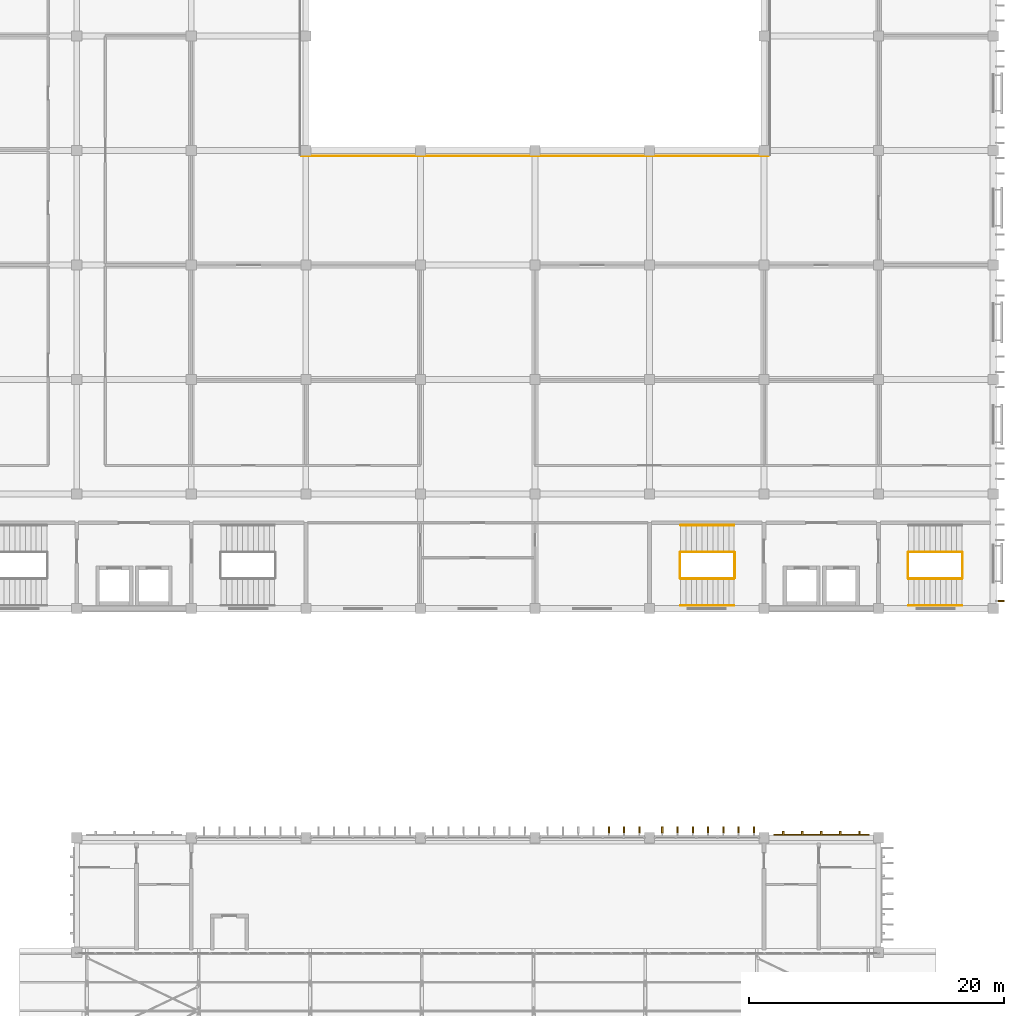
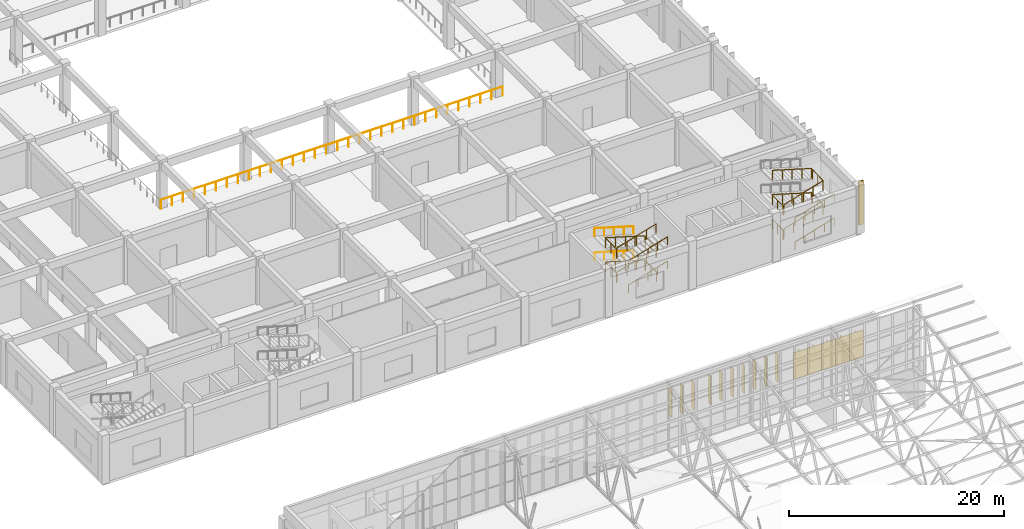
# One storey, part 182 of 185: 23 railings, 16 coverings.
"""IFC4 building model written with IfcOpenShell, lengths in metres."""

from ifc_helpers import new_model, si_unit, direction, frame, origin, origin_2d, place, context, subcontext, project, spatial, polyline, rectangle, circle, outline, extrude, material, layer, layer_set, constituent, constituent_set, type_object, element, save


model = new_model("IFC4")

# Units and contexts
model_context = context("Model", 3, precision=1e-05, world=origin(), true_north=direction((0.0, 1.0)))
body_context = subcontext(model_context, "Body", "Model", "MODEL_VIEW")
ifc_project = project(units=[si_unit("LENGTHUNIT", "METRE"), si_unit("AREAUNIT", "SQUARE_METRE"), si_unit("VOLUMEUNIT", "CUBIC_METRE"), si_unit("PLANEANGLEUNIT", "RADIAN"), si_unit("MASSUNIT", "GRAM", prefix="KILO")], contexts=[model_context])

# Site, building, storey
site_placement = place(None, origin())
site = spatial("IfcSite", under=ifc_project, at=site_placement, CompositionType="ELEMENT")
building_placement = place(site_placement, origin())
building = spatial("IfcBuilding", under=site, at=building_placement, Name="Opaline Strait Convention Centre", CompositionType="ELEMENT")
storey_placement = place(building_placement, frame((0.0, 0.0, 6.0)))
storey = spatial("IfcBuildingStorey", under=building, at=storey_placement, Name="L01", CompositionType="ELEMENT", Elevation=6.0)

# Railings
ifc_material_1 = material(Name="Steel Q235B", Category="steel")
ifc_constituent_1 = constituent(ifc_material_1, Name="Frame")
ifc_material_2 = material(Name="Safety glass, bonded interlayer", Category="glass")
ifc_constituent_2 = constituent(ifc_material_2, Name="Infill")
ifc_constituent_set = constituent_set(constituents=[ifc_constituent_1, ifc_constituent_2], Name="Steel Q235B, Safety glass, bonded interlayer")
railing_type_1 = type_object("IfcRailingType", Name="Guard 1100 steel and glass", PredefinedType="GUARDRAIL", material=ifc_constituent_set)
railing_1_placement = place(storey_placement, frame((353.349853515625, 92.349853515625, 0.125)))
element("IfcRailing", 1, at=railing_1_placement, inside=storey, type_object=railing_type_1, Name="L01 S3 stair guard 1", PredefinedType="GUARDRAIL", context=body_context, shape_type="SweptSolid", body=[
    extrude(circle(Radius=0.02392578125, at=origin_2d()), frame((0.0, 0.0, 1.076171875), z_axis=(0.958451171748, 0.0, 0.285256641246), x_axis=(0.0, 1.0, 0.0)), (0.0, 0.0, 1.0), 4.382080078125),
    extrude(circle(Radius=0.02099609375, at=origin_2d()), origin(), (0.0, 0.0, 1.0), 1.052001953125),
    extrude(circle(Radius=0.02099609375, at=origin_2d()), frame((1.050048828125, 0.0, 0.3125)), (0.0, 0.0, 1.0), 1.052001953125),
    extrude(circle(Radius=0.02099609375, at=origin_2d()), frame((2.10009765625, 0.0, 0.625)), (0.0, 0.0, 1.0), 1.052001953125),
    extrude(circle(Radius=0.02099609375, at=origin_2d()), frame((3.14990234375, 0.0, 0.9375)), (0.0, 0.0, 1.0), 1.052001953125),
    extrude(circle(Radius=0.02099609375, at=origin_2d()), frame((4.199951171875, 0.0, 1.25)), (0.0, 0.0, 1.0), 1.052001953125),
])
railing_2_placement = place(storey_placement, frame((357.599853515625, 92.39990234375, 1.375)))
element("IfcRailing", 2, at=railing_2_placement, inside=storey, type_object=railing_type_1, Name="L01 S3 stair guard 2", PredefinedType="GUARDRAIL", context=body_context, shape_type="SweptSolid", body=[
    extrude(circle(Radius=0.02392578125, at=origin_2d()), frame((0.0, 0.0, 1.076171875), z_axis=(0.0, 1.0, 0.0), x_axis=(-1.0, 0.0, 0.0)), (0.0, 0.0, 1.0), 2.0),
    extrude(circle(Radius=0.02099609375, at=origin_2d()), origin(), (0.0, 0.0, 1.0), 1.052001953125),
    extrude(circle(Radius=0.02099609375, at=origin_2d()), frame((0.0, 1.0, 0.0)), (0.0, 0.0, 1.0), 1.052001953125),
    extrude(circle(Radius=0.02099609375, at=origin_2d()), frame((0.0, 2.0, 0.0)), (0.0, 0.0, 1.0), 1.052001953125),
])
railing_3_placement = place(storey_placement, frame((357.5498046875, 94.449951171875, 1.5)))
element("IfcRailing", 3, at=railing_3_placement, inside=storey, type_object=railing_type_1, Name="L01 S3 stair guard 3", PredefinedType="GUARDRAIL", context=body_context, shape_type="SweptSolid", body=[
    extrude(circle(Radius=0.02392578125, at=origin_2d()), frame((0.0, 0.0, 1.076171875), z_axis=(-0.958451171748, 0.0, 0.285256641246), x_axis=(0.0, -1.0, 0.0)), (0.0, 0.0, 1.0), 4.382080078125),
    extrude(circle(Radius=0.02099609375, at=origin_2d()), origin(), (0.0, 0.0, 1.0), 1.052001953125),
    extrude(circle(Radius=0.02099609375, at=origin_2d()), frame((-1.050048828125, 0.0, 0.3125)), (0.0, 0.0, 1.0), 1.052001953125),
    extrude(circle(Radius=0.02099609375, at=origin_2d()), frame((-2.10009765625, 0.0, 0.625)), (0.0, 0.0, 1.0), 1.052001953125),
    extrude(circle(Radius=0.02099609375, at=origin_2d()), frame((-3.14990234375, 0.0, 0.9375)), (0.0, 0.0, 1.0), 1.052001953125),
    extrude(circle(Radius=0.02099609375, at=origin_2d()), frame((-4.199951171875, 0.0, 1.25)), (0.0, 0.0, 1.0), 1.052001953125),
])
railing_4_placement = place(storey_placement, frame((353.2998046875, 92.39990234375, 2.75)))
element("IfcRailing", 4, at=railing_4_placement, inside=storey, type_object=railing_type_1, Name="L01 S3 stair guard 4", PredefinedType="GUARDRAIL", context=body_context, shape_type="SweptSolid", body=[
    extrude(circle(Radius=0.02392578125, at=origin_2d()), frame((0.0, 0.0, 1.076171875), z_axis=(0.0, 1.0, 0.0), x_axis=(-1.0, 0.0, 0.0)), (0.0, 0.0, 1.0), 2.0),
    extrude(circle(Radius=0.02099609375, at=origin_2d()), origin(), (0.0, 0.0, 1.0), 1.052001953125),
    extrude(circle(Radius=0.02099609375, at=origin_2d()), frame((0.0, 1.0, 0.0)), (0.0, 0.0, 1.0), 1.052001953125),
    extrude(circle(Radius=0.02099609375, at=origin_2d()), frame((0.0, 2.0, 0.0)), (0.0, 0.0, 1.0), 1.052001953125),
])
railing_5_placement = place(storey_placement, frame((353.349853515625, 92.349853515625, 2.875)))
element("IfcRailing", 5, at=railing_5_placement, inside=storey, type_object=railing_type_1, Name="L01 S3 stair guard 5", PredefinedType="GUARDRAIL", context=body_context, shape_type="SweptSolid", body=[
    extrude(circle(Radius=0.02392578125, at=origin_2d()), frame((0.0, 0.0, 1.076171875), z_axis=(0.958451171748, 0.0, 0.285256641246), x_axis=(0.0, 1.0, 0.0)), (0.0, 0.0, 1.0), 4.382080078125),
    extrude(circle(Radius=0.02099609375, at=origin_2d()), origin(), (0.0, 0.0, 1.0), 1.052001953125),
    extrude(circle(Radius=0.02099609375, at=origin_2d()), frame((1.050048828125, 0.0, 0.3125)), (0.0, 0.0, 1.0), 1.052001953125),
    extrude(circle(Radius=0.02099609375, at=origin_2d()), frame((2.10009765625, 0.0, 0.625)), (0.0, 0.0, 1.0), 1.052001953125),
    extrude(circle(Radius=0.02099609375, at=origin_2d()), frame((3.14990234375, 0.0, 0.9375)), (0.0, 0.0, 1.0), 1.052001953125),
    extrude(circle(Radius=0.02099609375, at=origin_2d()), frame((4.199951171875, 0.0, 1.25)), (0.0, 0.0, 1.0), 1.052001953125),
])
railing_6_placement = place(storey_placement, frame((357.599853515625, 92.39990234375, 4.125)))
element("IfcRailing", 6, at=railing_6_placement, inside=storey, type_object=railing_type_1, Name="L01 S3 stair guard 6", PredefinedType="GUARDRAIL", context=body_context, shape_type="SweptSolid", body=[
    extrude(circle(Radius=0.02392578125, at=origin_2d()), frame((0.0, 0.0, 1.076171875), z_axis=(0.0, 1.0, 0.0), x_axis=(-1.0, 0.0, 0.0)), (0.0, 0.0, 1.0), 2.0),
    extrude(circle(Radius=0.02099609375, at=origin_2d()), origin(), (0.0, 0.0, 1.0), 1.052001953125),
    extrude(circle(Radius=0.02099609375, at=origin_2d()), frame((0.0, 1.0, 0.0)), (0.0, 0.0, 1.0), 1.052001953125),
    extrude(circle(Radius=0.02099609375, at=origin_2d()), frame((0.0, 2.0, 0.0)), (0.0, 0.0, 1.0), 1.052001953125),
])
railing_7_placement = place(storey_placement, frame((357.5498046875, 94.449951171875, 4.25)))
element("IfcRailing", 7, at=railing_7_placement, inside=storey, type_object=railing_type_1, Name="L01 S3 stair guard 7", PredefinedType="GUARDRAIL", context=body_context, shape_type="SweptSolid", body=[
    extrude(circle(Radius=0.02392578125, at=origin_2d()), frame((0.0, 0.0, 1.076171875), z_axis=(-0.958451171748, 0.0, 0.285256641246), x_axis=(0.0, -1.0, 0.0)), (0.0, 0.0, 1.0), 4.382080078125),
    extrude(circle(Radius=0.02099609375, at=origin_2d()), origin(), (0.0, 0.0, 1.0), 1.052001953125),
    extrude(circle(Radius=0.02099609375, at=origin_2d()), frame((-1.050048828125, 0.0, 0.3125)), (0.0, 0.0, 1.0), 1.052001953125),
    extrude(circle(Radius=0.02099609375, at=origin_2d()), frame((-2.10009765625, 0.0, 0.625)), (0.0, 0.0, 1.0), 1.052001953125),
    extrude(circle(Radius=0.02099609375, at=origin_2d()), frame((-3.14990234375, 0.0, 0.9375)), (0.0, 0.0, 1.0), 1.052001953125),
    extrude(circle(Radius=0.02099609375, at=origin_2d()), frame((-4.199951171875, 0.0, 1.25)), (0.0, 0.0, 1.0), 1.052001953125),
])
railing_8_placement = place(storey_placement, frame((353.2998046875, 92.39990234375, 0.0)))
element("IfcRailing", 8, at=railing_8_placement, inside=storey, type_object=railing_type_1, Name="L01 S3 stair guard 8", PredefinedType="GUARDRAIL", context=body_context, shape_type="SweptSolid", body=[
    extrude(circle(Radius=0.02392578125, at=origin_2d()), frame((0.0, 0.0, 1.076171875), z_axis=(0.0, 1.0, 0.0), x_axis=(-1.0, 0.0, 0.0)), (0.0, 0.0, 1.0), 2.0),
    extrude(circle(Radius=0.02099609375, at=origin_2d()), origin(), (0.0, 0.0, 1.0), 1.052001953125),
    extrude(circle(Radius=0.02099609375, at=origin_2d()), frame((0.0, 1.0, 0.0)), (0.0, 0.0, 1.0), 1.052001953125),
    extrude(circle(Radius=0.02099609375, at=origin_2d()), frame((0.0, 2.0, 0.0)), (0.0, 0.0, 1.0), 1.052001953125),
])
railing_9_placement = place(storey_placement, frame((339.650146484375, 94.4501953125, 0.125)))
element("IfcRailing", 9, at=railing_9_placement, inside=storey, type_object=railing_type_1, Name="L01 S4 stair guard 1", PredefinedType="GUARDRAIL", context=body_context, shape_type="SweptSolid", body=[
    extrude(circle(Radius=0.02392578125, at=origin_2d()), frame((0.0, 0.0, 1.076171875), z_axis=(-0.958451171748, 0.0, 0.285256641246), x_axis=(0.0, -1.0, 0.0)), (0.0, 0.0, 1.0), 4.382080078125),
    extrude(circle(Radius=0.02099609375, at=origin_2d()), origin(), (0.0, 0.0, 1.0), 1.052001953125),
    extrude(circle(Radius=0.02099609375, at=origin_2d()), frame((-1.050048828125, 0.0, 0.3125)), (0.0, 0.0, 1.0), 1.052001953125),
    extrude(circle(Radius=0.02099609375, at=origin_2d()), frame((-2.10009765625, 0.0, 0.625)), (0.0, 0.0, 1.0), 1.052001953125),
    extrude(circle(Radius=0.02099609375, at=origin_2d()), frame((-3.14990234375, 0.0, 0.9375)), (0.0, 0.0, 1.0), 1.052001953125),
    extrude(circle(Radius=0.02099609375, at=origin_2d()), frame((-4.199951171875, 0.0, 1.25)), (0.0, 0.0, 1.0), 1.052001953125),
])
railing_10_placement = place(storey_placement, frame((335.400146484375, 94.400146484375, 1.375)))
element("IfcRailing", 10, at=railing_10_placement, inside=storey, type_object=railing_type_1, Name="L01 S4 stair guard 2", PredefinedType="GUARDRAIL", context=body_context, shape_type="SweptSolid", body=[
    extrude(circle(Radius=0.02392578125, at=origin_2d()), frame((0.0, 0.0, 1.076171875), z_axis=(0.0, -1.0, 0.0), x_axis=(1.0, 0.0, 0.0)), (0.0, 0.0, 1.0), 2.0),
    extrude(circle(Radius=0.02099609375, at=origin_2d()), origin(), (0.0, 0.0, 1.0), 1.052001953125),
    extrude(circle(Radius=0.02099609375, at=origin_2d()), frame((0.0, -1.0, 0.0)), (0.0, 0.0, 1.0), 1.052001953125),
    extrude(circle(Radius=0.02099609375, at=origin_2d()), frame((0.0, -2.0, 0.0)), (0.0, 0.0, 1.0), 1.052001953125),
])
railing_11_placement = place(storey_placement, frame((335.4501953125, 92.35009765625, 1.5)))
element("IfcRailing", 11, at=railing_11_placement, inside=storey, type_object=railing_type_1, Name="L01 S4 stair guard 3", PredefinedType="GUARDRAIL", context=body_context, shape_type="SweptSolid", body=[
    extrude(circle(Radius=0.02392578125, at=origin_2d()), frame((0.0, 0.0, 1.076171875), z_axis=(0.958451171748, 0.0, 0.285256641246), x_axis=(0.0, 1.0, 0.0)), (0.0, 0.0, 1.0), 4.382080078125),
    extrude(circle(Radius=0.02099609375, at=origin_2d()), origin(), (0.0, 0.0, 1.0), 1.052001953125),
    extrude(circle(Radius=0.02099609375, at=origin_2d()), frame((1.050048828125, 0.0, 0.3125)), (0.0, 0.0, 1.0), 1.052001953125),
    extrude(circle(Radius=0.02099609375, at=origin_2d()), frame((2.10009765625, 0.0, 0.625)), (0.0, 0.0, 1.0), 1.052001953125),
    extrude(circle(Radius=0.02099609375, at=origin_2d()), frame((3.14990234375, 0.0, 0.9375)), (0.0, 0.0, 1.0), 1.052001953125),
    extrude(circle(Radius=0.02099609375, at=origin_2d()), frame((4.199951171875, 0.0, 1.25)), (0.0, 0.0, 1.0), 1.052001953125),
])
railing_12_placement = place(storey_placement, frame((339.7001953125, 94.400146484375, 2.75)))
element("IfcRailing", 12, at=railing_12_placement, inside=storey, type_object=railing_type_1, Name="L01 S4 stair guard 4", PredefinedType="GUARDRAIL", context=body_context, shape_type="SweptSolid", body=[
    extrude(circle(Radius=0.02392578125, at=origin_2d()), frame((0.0, 0.0, 1.076171875), z_axis=(0.0, -1.0, 0.0), x_axis=(1.0, 0.0, 0.0)), (0.0, 0.0, 1.0), 2.0),
    extrude(circle(Radius=0.02099609375, at=origin_2d()), origin(), (0.0, 0.0, 1.0), 1.052001953125),
    extrude(circle(Radius=0.02099609375, at=origin_2d()), frame((0.0, -1.0, 0.0)), (0.0, 0.0, 1.0), 1.052001953125),
    extrude(circle(Radius=0.02099609375, at=origin_2d()), frame((0.0, -2.0, 0.0)), (0.0, 0.0, 1.0), 1.052001953125),
])
railing_13_placement = place(storey_placement, frame((339.650146484375, 94.4501953125, 2.875)))
element("IfcRailing", 13, at=railing_13_placement, inside=storey, type_object=railing_type_1, Name="L01 S4 stair guard 5", PredefinedType="GUARDRAIL", context=body_context, shape_type="SweptSolid", body=[
    extrude(circle(Radius=0.02392578125, at=origin_2d()), frame((0.0, 0.0, 1.076171875), z_axis=(-0.958451171748, 0.0, 0.285256641246), x_axis=(0.0, -1.0, 0.0)), (0.0, 0.0, 1.0), 4.382080078125),
    extrude(circle(Radius=0.02099609375, at=origin_2d()), origin(), (0.0, 0.0, 1.0), 1.052001953125),
    extrude(circle(Radius=0.02099609375, at=origin_2d()), frame((-1.050048828125, 0.0, 0.3125)), (0.0, 0.0, 1.0), 1.052001953125),
    extrude(circle(Radius=0.02099609375, at=origin_2d()), frame((-2.10009765625, 0.0, 0.625)), (0.0, 0.0, 1.0), 1.052001953125),
    extrude(circle(Radius=0.02099609375, at=origin_2d()), frame((-3.14990234375, 0.0, 0.9375)), (0.0, 0.0, 1.0), 1.052001953125),
    extrude(circle(Radius=0.02099609375, at=origin_2d()), frame((-4.199951171875, 0.0, 1.25)), (0.0, 0.0, 1.0), 1.052001953125),
])
railing_14_placement = place(storey_placement, frame((335.400146484375, 94.400146484375, 4.125)))
element("IfcRailing", 14, at=railing_14_placement, inside=storey, type_object=railing_type_1, Name="L01 S4 stair guard 6", PredefinedType="GUARDRAIL", context=body_context, shape_type="SweptSolid", body=[
    extrude(circle(Radius=0.02392578125, at=origin_2d()), frame((0.0, 0.0, 1.076171875), z_axis=(0.0, -1.0, 0.0), x_axis=(1.0, 0.0, 0.0)), (0.0, 0.0, 1.0), 2.0),
    extrude(circle(Radius=0.02099609375, at=origin_2d()), origin(), (0.0, 0.0, 1.0), 1.052001953125),
    extrude(circle(Radius=0.02099609375, at=origin_2d()), frame((0.0, -1.0, 0.0)), (0.0, 0.0, 1.0), 1.052001953125),
    extrude(circle(Radius=0.02099609375, at=origin_2d()), frame((0.0, -2.0, 0.0)), (0.0, 0.0, 1.0), 1.052001953125),
])
railing_15_placement = place(storey_placement, frame((335.4501953125, 92.35009765625, 4.25)))
element("IfcRailing", 15, at=railing_15_placement, inside=storey, type_object=railing_type_1, Name="L01 S4 stair guard 7", PredefinedType="GUARDRAIL", context=body_context, shape_type="SweptSolid", body=[
    extrude(circle(Radius=0.02392578125, at=origin_2d()), frame((0.0, 0.0, 1.076171875), z_axis=(0.958451171748, 0.0, 0.285256641246), x_axis=(0.0, 1.0, 0.0)), (0.0, 0.0, 1.0), 4.382080078125),
    extrude(circle(Radius=0.02099609375, at=origin_2d()), origin(), (0.0, 0.0, 1.0), 1.052001953125),
    extrude(circle(Radius=0.02099609375, at=origin_2d()), frame((1.050048828125, 0.0, 0.3125)), (0.0, 0.0, 1.0), 1.052001953125),
    extrude(circle(Radius=0.02099609375, at=origin_2d()), frame((2.10009765625, 0.0, 0.625)), (0.0, 0.0, 1.0), 1.052001953125),
    extrude(circle(Radius=0.02099609375, at=origin_2d()), frame((3.14990234375, 0.0, 0.9375)), (0.0, 0.0, 1.0), 1.052001953125),
    extrude(circle(Radius=0.02099609375, at=origin_2d()), frame((4.199951171875, 0.0, 1.25)), (0.0, 0.0, 1.0), 1.052001953125),
])
railing_16_placement = place(storey_placement, frame((339.7001953125, 94.400146484375, 0.0)))
element("IfcRailing", 16, at=railing_16_placement, inside=storey, type_object=railing_type_1, Name="L01 S4 stair guard 8", PredefinedType="GUARDRAIL", context=body_context, shape_type="SweptSolid", body=[
    extrude(circle(Radius=0.02392578125, at=origin_2d()), frame((0.0, 0.0, 1.076171875), z_axis=(0.0, -1.0, 0.0), x_axis=(1.0, 0.0, 0.0)), (0.0, 0.0, 1.0), 2.0),
    extrude(circle(Radius=0.02099609375, at=origin_2d()), origin(), (0.0, 0.0, 1.0), 1.052001953125),
    extrude(circle(Radius=0.02099609375, at=origin_2d()), frame((0.0, -1.0, 0.0)), (0.0, 0.0, 1.0), 1.052001953125),
    extrude(circle(Radius=0.02099609375, at=origin_2d()), frame((0.0, -2.0, 0.0)), (0.0, 0.0, 1.0), 1.052001953125),
])
railing_17_placement = place(storey_placement, frame((305.64990234375, 125.550048828125, 0.0)))
element("IfcRailing", 17, at=railing_17_placement, inside=storey, type_object=railing_type_1, Name="Atrium edge guard L01 S", PredefinedType="GUARDRAIL", context=body_context, shape_type="SweptSolid", body=[
    extrude(circle(Radius=0.02392578125, at=origin_2d()), frame((0.0, 0.0, 1.076171875), z_axis=(1.0, 0.0, 0.0), x_axis=(0.0, 1.0, 0.0)), (0.0, 0.0, 1.0), 36.7001953125),
    extrude(circle(Radius=0.02099609375, at=origin_2d()), origin(), (0.0, 0.0, 1.0), 1.052001953125),
    extrude(circle(Radius=0.02099609375, at=origin_2d()), frame((1.183837890625, 0.0, 0.0)), (0.0, 0.0, 1.0), 1.052001953125),
    extrude(circle(Radius=0.02099609375, at=origin_2d()), frame((2.36767578125, 0.0, 0.0)), (0.0, 0.0, 1.0), 1.052001953125),
    extrude(circle(Radius=0.02099609375, at=origin_2d()), frame((3.551513671875, 0.0, 0.0)), (0.0, 0.0, 1.0), 1.052001953125),
    extrude(circle(Radius=0.02099609375, at=origin_2d()), frame((4.735595703125, 0.0, 0.0)), (0.0, 0.0, 1.0), 1.052001953125),
    extrude(circle(Radius=0.02099609375, at=origin_2d()), frame((5.91943359375, 0.0, 0.0)), (0.0, 0.0, 1.0), 1.052001953125),
    extrude(circle(Radius=0.02099609375, at=origin_2d()), frame((7.103271484375, 0.0, 0.0)), (0.0, 0.0, 1.0), 1.052001953125),
    extrude(circle(Radius=0.02099609375, at=origin_2d()), frame((8.287109375, 0.0, 0.0)), (0.0, 0.0, 1.0), 1.052001953125),
    extrude(circle(Radius=0.02099609375, at=origin_2d()), frame((9.470947265625, 0.0, 0.0)), (0.0, 0.0, 1.0), 1.052001953125),
    extrude(circle(Radius=0.02099609375, at=origin_2d()), frame((10.65478515625, 0.0, 0.0)), (0.0, 0.0, 1.0), 1.052001953125),
    extrude(circle(Radius=0.02099609375, at=origin_2d()), frame((11.8388671875, 0.0, 0.0)), (0.0, 0.0, 1.0), 1.052001953125),
    extrude(circle(Radius=0.02099609375, at=origin_2d()), frame((13.022705078125, 0.0, 0.0)), (0.0, 0.0, 1.0), 1.052001953125),
    extrude(circle(Radius=0.02099609375, at=origin_2d()), frame((14.20654296875, 0.0, 0.0)), (0.0, 0.0, 1.0), 1.052001953125),
    extrude(circle(Radius=0.02099609375, at=origin_2d()), frame((15.390380859375, 0.0, 0.0)), (0.0, 0.0, 1.0), 1.052001953125),
    extrude(circle(Radius=0.02099609375, at=origin_2d()), frame((16.57421875, 0.0, 0.0)), (0.0, 0.0, 1.0), 1.052001953125),
    extrude(circle(Radius=0.02099609375, at=origin_2d()), frame((17.758056640625, 0.0, 0.0)), (0.0, 0.0, 1.0), 1.052001953125),
    extrude(circle(Radius=0.02099609375, at=origin_2d()), frame((18.942138671875, 0.0, 0.0)), (0.0, 0.0, 1.0), 1.052001953125),
    extrude(circle(Radius=0.02099609375, at=origin_2d()), frame((20.1259765625, 0.0, 0.0)), (0.0, 0.0, 1.0), 1.052001953125),
    extrude(circle(Radius=0.02099609375, at=origin_2d()), frame((21.309814453125, 0.0, 0.0)), (0.0, 0.0, 1.0), 1.052001953125),
    extrude(circle(Radius=0.02099609375, at=origin_2d()), frame((22.49365234375, 0.0, 0.0)), (0.0, 0.0, 1.0), 1.052001953125),
    extrude(circle(Radius=0.02099609375, at=origin_2d()), frame((23.677490234375, 0.0, 0.0)), (0.0, 0.0, 1.0), 1.052001953125),
    extrude(circle(Radius=0.02099609375, at=origin_2d()), frame((24.861328125, 0.0, 0.0)), (0.0, 0.0, 1.0), 1.052001953125),
    extrude(circle(Radius=0.02099609375, at=origin_2d()), frame((26.04541015625, 0.0, 0.0)), (0.0, 0.0, 1.0), 1.052001953125),
    extrude(circle(Radius=0.02099609375, at=origin_2d()), frame((27.229248046875, 0.0, 0.0)), (0.0, 0.0, 1.0), 1.052001953125),
    extrude(circle(Radius=0.02099609375, at=origin_2d()), frame((28.4130859375, 0.0, 0.0)), (0.0, 0.0, 1.0), 1.052001953125),
    extrude(circle(Radius=0.02099609375, at=origin_2d()), frame((29.596923828125, 0.0, 0.0)), (0.0, 0.0, 1.0), 1.052001953125),
    extrude(circle(Radius=0.02099609375, at=origin_2d()), frame((30.78076171875, 0.0, 0.0)), (0.0, 0.0, 1.0), 1.052001953125),
    extrude(circle(Radius=0.02099609375, at=origin_2d()), frame((31.964599609375, 0.0, 0.0)), (0.0, 0.0, 1.0), 1.052001953125),
    extrude(circle(Radius=0.02099609375, at=origin_2d()), frame((33.148681640625, 0.0, 0.0)), (0.0, 0.0, 1.0), 1.052001953125),
    extrude(circle(Radius=0.02099609375, at=origin_2d()), frame((34.33251953125, 0.0, 0.0)), (0.0, 0.0, 1.0), 1.052001953125),
    extrude(circle(Radius=0.02099609375, at=origin_2d()), frame((35.516357421875, 0.0, 0.0)), (0.0, 0.0, 1.0), 1.052001953125),
    extrude(circle(Radius=0.02099609375, at=origin_2d()), frame((36.7001953125, 0.0, 0.0)), (0.0, 0.0, 1.0), 1.052001953125),
])

# Coverings
ifc_material_3 = material(Name="Concrete C40 precast white", Category="concrete")
ifc_layer_1 = layer(ifc_material_3, 0.300048828125)
ifc_layer_set_1 = layer_set([ifc_layer_1], Name="Concrete C40 precast white")
covering_type_1 = type_object("IfcCoveringType", Name="Ribbed precast panel white 1500", PredefinedType="CLADDING", material=ifc_layer_set_1)
covering_1_placement = place(storey_placement, origin())
element("IfcCovering", 18, at=covering_1_placement, inside=storey, type_object=covering_type_1, Name="Ribbed panel L01-N6 1", PredefinedType="CLADDING", context=body_context, shape_type="SweptSolid", body=[
    extrude(outline(polyline([(342.75, 72.199951171875), (344.25, 72.199951171875), (344.25, 72.280029296875), (343.574951171875, 72.280029296875), (343.574951171875, 72.5), (343.425048828125, 72.5), (343.425048828125, 72.280029296875), (342.75, 72.280029296875), (342.75, 72.199951171875)])), origin(), (0.0, 0.0, 1.0), 3.050048828125),
])
covering_2_placement = place(storey_placement, origin())
element("IfcCovering", 19, at=covering_2_placement, inside=storey, type_object=covering_type_1, Name="Ribbed panel L01-N6 2", PredefinedType="CLADDING", context=body_context, shape_type="SweptSolid", body=[
    extrude(outline(polyline([(344.25, 72.199951171875), (345.75, 72.199951171875), (345.75, 72.280029296875), (345.074951171875, 72.280029296875), (345.074951171875, 72.5), (344.925048828125, 72.5), (344.925048828125, 72.280029296875), (344.25, 72.280029296875), (344.25, 72.199951171875)])), origin(), (0.0, 0.0, 1.0), 3.050048828125),
])
covering_3_placement = place(storey_placement, origin())
element("IfcCovering", 20, at=covering_3_placement, inside=storey, type_object=covering_type_1, Name="Ribbed panel L01-N6 3", PredefinedType="CLADDING", context=body_context, shape_type="SweptSolid", body=[
    extrude(outline(polyline([(345.75, 72.199951171875), (347.25, 72.199951171875), (347.25, 72.280029296875), (346.574951171875, 72.280029296875), (346.574951171875, 72.5), (346.425048828125, 72.5), (346.425048828125, 72.280029296875), (345.75, 72.280029296875), (345.75, 72.199951171875)])), origin(), (0.0, 0.0, 1.0), 3.050048828125),
])
covering_4_placement = place(storey_placement, origin())
element("IfcCovering", 21, at=covering_4_placement, inside=storey, type_object=covering_type_1, Name="Ribbed panel L01-N6 4", PredefinedType="CLADDING", context=body_context, shape_type="SweptSolid", body=[
    extrude(outline(polyline([(347.25, 72.199951171875), (348.75, 72.199951171875), (348.75, 72.280029296875), (348.074951171875, 72.280029296875), (348.074951171875, 72.5), (347.925048828125, 72.5), (347.925048828125, 72.280029296875), (347.25, 72.280029296875), (347.25, 72.199951171875)])), origin(), (0.0, 0.0, 1.0), 3.050048828125),
])
covering_5_placement = place(storey_placement, origin())
element("IfcCovering", 22, at=covering_5_placement, inside=storey, type_object=covering_type_1, Name="Ribbed panel L01-N6 5", PredefinedType="CLADDING", context=body_context, shape_type="SweptSolid", body=[
    extrude(outline(polyline([(348.75, 72.199951171875), (350.25, 72.199951171875), (350.25, 72.280029296875), (349.574951171875, 72.280029296875), (349.574951171875, 72.5), (349.425048828125, 72.5), (349.425048828125, 72.280029296875), (348.75, 72.280029296875), (348.75, 72.199951171875)])), origin(), (0.0, 0.0, 1.0), 3.050048828125),
])

# Railings
ifc_material_4 = material(Name="Stainless steel 304", Category="steel")
railing_type_2 = type_object("IfcRailingType", Name="Stair handrail 900 stainless steel", PredefinedType="HANDRAIL", material=ifc_material_4)
for number, where, name in (
    (23, (353.349853515625, 90.25, 0.125), "L01 S3 stair handrail 1"),
    (24, (353.349853515625, 90.25, 2.875), "L01 S3 stair handrail 3"),
):
    element("IfcRailing", number, at=place(storey_placement, frame(where)), inside=storey, type_object=railing_type_2, Name=name, PredefinedType="HANDRAIL", context=body_context, shape_type="SweptSolid", body=[
        extrude(circle(Radius=0.02392578125, at=origin_2d()), frame((0.0, 0.0, 0.8759765625), z_axis=(0.958451171748, 0.0, 0.285256641246), x_axis=(0.0, 1.0, 0.0)), (0.0, 0.0, 1.0), 4.382080078125),
        extrude(circle(Radius=0.02099609375, at=origin_2d()), origin(), (0.0, 0.0, 1.0), 0.851806640625),
        extrude(circle(Radius=0.02099609375, at=origin_2d()), frame((1.050048828125, 0.0, 0.3125)), (0.0, 0.0, 1.0), 0.851806640625),
        extrude(circle(Radius=0.02099609375, at=origin_2d()), frame((2.10009765625, 0.0, 0.625)), (0.0, 0.0, 1.0), 0.851806640625),
        extrude(circle(Radius=0.02099609375, at=origin_2d()), frame((3.14990234375, 0.0, 0.9375)), (0.0, 0.0, 1.0), 0.851806640625),
        extrude(circle(Radius=0.02099609375, at=origin_2d()), frame((4.199951171875, 0.0, 1.25)), (0.0, 0.0, 1.0), 0.851806640625),
    ])
railing_18_placement = place(storey_placement, frame((339.650146484375, 96.550048828125, 0.125)))
element("IfcRailing", 25, at=railing_18_placement, inside=storey, type_object=railing_type_2, Name="L01 S4 stair handrail 1", PredefinedType="HANDRAIL", context=body_context, shape_type="SweptSolid", body=[
    extrude(circle(Radius=0.02392578125, at=origin_2d()), frame((0.0, 0.0, 0.8759765625), z_axis=(-0.958451171748, 0.0, 0.285256641246), x_axis=(0.0, -1.0, 0.0)), (0.0, 0.0, 1.0), 4.382080078125),
    extrude(circle(Radius=0.02099609375, at=origin_2d()), origin(), (0.0, 0.0, 1.0), 0.851806640625),
    extrude(circle(Radius=0.02099609375, at=origin_2d()), frame((-1.050048828125, 0.0, 0.3125)), (0.0, 0.0, 1.0), 0.851806640625),
    extrude(circle(Radius=0.02099609375, at=origin_2d()), frame((-2.10009765625, 0.0, 0.625)), (0.0, 0.0, 1.0), 0.851806640625),
    extrude(circle(Radius=0.02099609375, at=origin_2d()), frame((-3.14990234375, 0.0, 0.9375)), (0.0, 0.0, 1.0), 0.851806640625),
    extrude(circle(Radius=0.02099609375, at=origin_2d()), frame((-4.199951171875, 0.0, 1.25)), (0.0, 0.0, 1.0), 0.851806640625),
])
railing_19_placement = place(storey_placement, frame((335.4501953125, 90.25, 1.5)))
element("IfcRailing", 26, at=railing_19_placement, inside=storey, type_object=railing_type_2, Name="L01 S4 stair handrail 2", PredefinedType="HANDRAIL", context=body_context, shape_type="SweptSolid", body=[
    extrude(circle(Radius=0.02392578125, at=origin_2d()), frame((0.0, 0.0, 0.8759765625), z_axis=(0.958451171748, 0.0, 0.285256641246), x_axis=(0.0, 1.0, 0.0)), (0.0, 0.0, 1.0), 4.382080078125),
    extrude(circle(Radius=0.02099609375, at=origin_2d()), origin(), (0.0, 0.0, 1.0), 0.851806640625),
    extrude(circle(Radius=0.02099609375, at=origin_2d()), frame((1.050048828125, 0.0, 0.3125)), (0.0, 0.0, 1.0), 0.851806640625),
    extrude(circle(Radius=0.02099609375, at=origin_2d()), frame((2.10009765625, 0.0, 0.625)), (0.0, 0.0, 1.0), 0.851806640625),
    extrude(circle(Radius=0.02099609375, at=origin_2d()), frame((3.14990234375, 0.0, 0.9375)), (0.0, 0.0, 1.0), 0.851806640625),
    extrude(circle(Radius=0.02099609375, at=origin_2d()), frame((4.199951171875, 0.0, 1.25)), (0.0, 0.0, 1.0), 0.851806640625),
])
railing_20_placement = place(storey_placement, frame((339.650146484375, 96.550048828125, 2.875)))
element("IfcRailing", 27, at=railing_20_placement, inside=storey, type_object=railing_type_2, Name="L01 S4 stair handrail 3", PredefinedType="HANDRAIL", context=body_context, shape_type="SweptSolid", body=[
    extrude(circle(Radius=0.02392578125, at=origin_2d()), frame((0.0, 0.0, 0.8759765625), z_axis=(-0.958451171748, 0.0, 0.285256641246), x_axis=(0.0, -1.0, 0.0)), (0.0, 0.0, 1.0), 4.382080078125),
    extrude(circle(Radius=0.02099609375, at=origin_2d()), origin(), (0.0, 0.0, 1.0), 0.851806640625),
    extrude(circle(Radius=0.02099609375, at=origin_2d()), frame((-1.050048828125, 0.0, 0.3125)), (0.0, 0.0, 1.0), 0.851806640625),
    extrude(circle(Radius=0.02099609375, at=origin_2d()), frame((-2.10009765625, 0.0, 0.625)), (0.0, 0.0, 1.0), 0.851806640625),
    extrude(circle(Radius=0.02099609375, at=origin_2d()), frame((-3.14990234375, 0.0, 0.9375)), (0.0, 0.0, 1.0), 0.851806640625),
    extrude(circle(Radius=0.02099609375, at=origin_2d()), frame((-4.199951171875, 0.0, 1.25)), (0.0, 0.0, 1.0), 0.851806640625),
])
railing_21_placement = place(storey_placement, frame((335.4501953125, 90.25, 4.25)))
element("IfcRailing", 28, at=railing_21_placement, inside=storey, type_object=railing_type_2, Name="L01 S4 stair handrail 4", PredefinedType="HANDRAIL", context=body_context, shape_type="SweptSolid", body=[
    extrude(circle(Radius=0.02392578125, at=origin_2d()), frame((0.0, 0.0, 0.8759765625), z_axis=(0.958451171748, 0.0, 0.285256641246), x_axis=(0.0, 1.0, 0.0)), (0.0, 0.0, 1.0), 4.382080078125),
    extrude(circle(Radius=0.02099609375, at=origin_2d()), origin(), (0.0, 0.0, 1.0), 0.851806640625),
    extrude(circle(Radius=0.02099609375, at=origin_2d()), frame((1.050048828125, 0.0, 0.3125)), (0.0, 0.0, 1.0), 0.851806640625),
    extrude(circle(Radius=0.02099609375, at=origin_2d()), frame((2.10009765625, 0.0, 0.625)), (0.0, 0.0, 1.0), 0.851806640625),
    extrude(circle(Radius=0.02099609375, at=origin_2d()), frame((3.14990234375, 0.0, 0.9375)), (0.0, 0.0, 1.0), 0.851806640625),
    extrude(circle(Radius=0.02099609375, at=origin_2d()), frame((4.199951171875, 0.0, 1.25)), (0.0, 0.0, 1.0), 0.851806640625),
])

# Coverings
ifc_material_5 = material(Name="Powder-coated aluminium white", Category="aluminium")
ifc_layer_2 = layer(ifc_material_5, 0.1201171875)
ifc_layer_set_2 = layer_set([ifc_layer_2], Name="Powder-coated aluminium white")
covering_type_2 = type_object("IfcCoveringType", Name="Storm louvre fin 120 x 500", PredefinedType="CLADDING", material=ifc_layer_set_2)
for number, where, z_axis, x_axis, name in (
    (29, (329.800048828125, 72.60009765625, 0.14990234375), (0.0, 0.0, 1.0), (1.0, 0.0, 0.0), "BX2 storm louvre fin north 61"),
    (30, (331.0, 72.60009765625, 0.14990234375), (0.0, 0.0, 1.0), (1.0, 0.0, 0.0), "BX2 storm louvre fin north 62"),
    (31, (332.199951171875, 72.60009765625, 0.14990234375), (0.0, 0.0, 1.0), (1.0, 0.0, 0.0), "BX2 storm louvre fin north 63"),
    (32, (334.0, 72.60009765625, 0.14990234375), (0.0, 0.0, 1.0), (1.0, 0.0, 0.0), "BX2 storm louvre fin north 64"),
    (33, (335.199951171875, 72.60009765625, 0.14990234375), (0.0, 0.0, 1.0), (1.0, 0.0, 0.0), "BX2 storm louvre fin north 65"),
    (34, (336.39990234375, 72.60009765625, 0.14990234375), (0.0, 0.0, 1.0), (1.0, 0.0, 0.0), "BX2 storm louvre fin north 66"),
    (35, (337.60009765625, 72.60009765625, 0.14990234375), (0.0, 0.0, 1.0), (1.0, 0.0, 0.0), "BX2 storm louvre fin north 67"),
    (36, (338.800048828125, 72.60009765625, 0.14990234375), (0.0, 0.0, 1.0), (1.0, 0.0, 0.0), "BX2 storm louvre fin north 68"),
    (37, (340.0, 72.60009765625, 0.14990234375), (0.0, 0.0, 1.0), (1.0, 0.0, 0.0), "BX2 storm louvre fin north 69"),
    (38, (341.199951171875, 72.60009765625, 0.14990234375), (0.0, 0.0, 1.0), (1.0, 0.0, 0.0), "BX2 storm louvre fin north 70"),
):
    element("IfcCovering", number, at=place(storey_placement, frame(where, z_axis=z_axis, x_axis=x_axis)), inside=storey, type_object=covering_type_2, Name=name, PredefinedType="CLADDING", context=body_context, shape_type="SweptSolid", body=[
        extrude(rectangle(XDim=0.1201171875, YDim=0.5, at=origin_2d()), origin(), (0.0, 0.0, 1.0), 3.199951171875),
    ])
ifc_material_6 = material(Name="Aluminium alloy 6063-T5", Category="aluminium")
ifc_layer_3 = layer(ifc_material_6, 0.1201171875)
ifc_layer_set_3 = layer_set([ifc_layer_3], Name="Aluminium alloy 6063-T5")
covering_type_3 = type_object("IfcCoveringType", Name="Storm louvre fin 120 x 500 aluminium", PredefinedType="CLADDING", material=ifc_layer_set_3)
covering_6_placement = place(storey_placement, frame((360.60009765625, 90.60009765625, 0.25), z_axis=(0.0, 0.0, 1.0), x_axis=(1.0, 0.0, 0.0)))
element("IfcCovering", 39, at=covering_6_placement, inside=storey, type_object=covering_type_3, Name="Storm louvre fin E L01", PredefinedType="CLADDING", context=body_context, shape_type="SweptSolid", body=[
    extrude(rectangle(XDim=0.5, YDim=0.1201171875, at=origin_2d()), origin(), (0.0, 0.0, 1.0), 4.949951171875),
])

save(model, "model.ifc")
